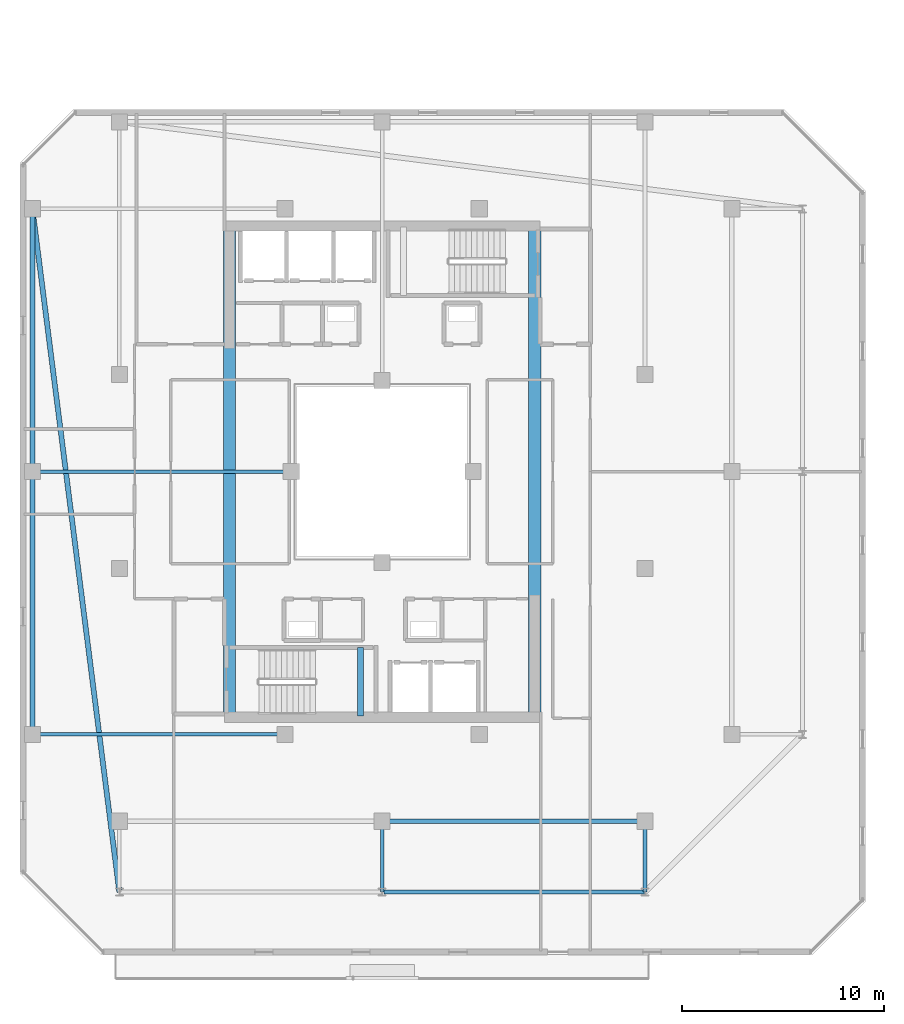
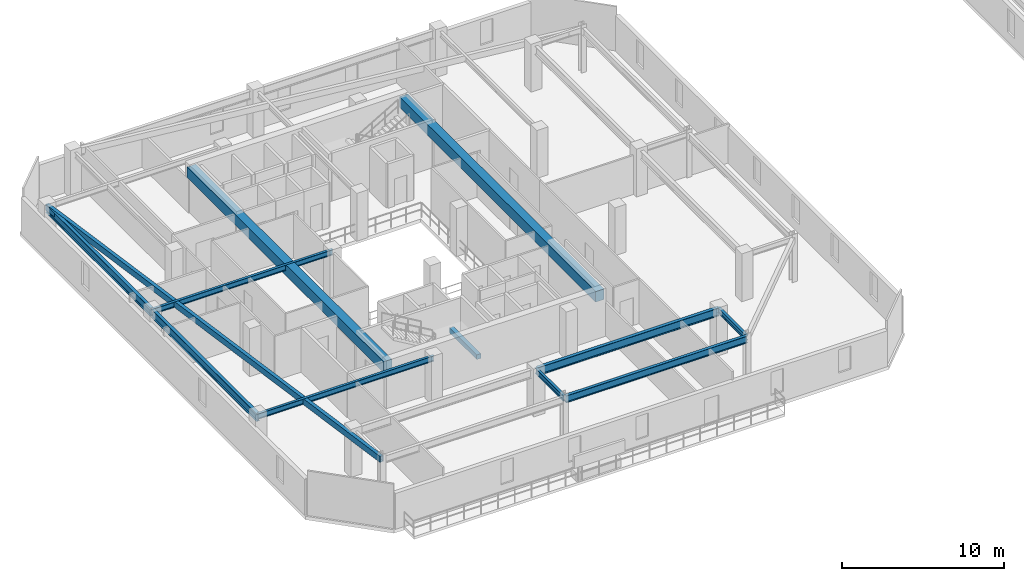
# One storey, part 6 of 34: 12 beams.
"""IFC4 building model written with IfcOpenShell, lengths in metres."""

from ifc_helpers import new_model, si_unit, direction, frame, origin, origin_2d, place, context, subcontext, project, spatial, rectangle, hollow_rectangle, i_section, extrude, material, material_profile, profile_set, type_object, element, save


model = new_model("IFC4")

# Units and contexts
model_context = context("Model", 3, precision=1e-05, world=origin(), true_north=direction((0.0, 1.0)))
body_context = subcontext(model_context, "Body", "Model", "MODEL_VIEW")
ifc_project = project(units=[si_unit("LENGTHUNIT", "METRE"), si_unit("AREAUNIT", "SQUARE_METRE"), si_unit("VOLUMEUNIT", "CUBIC_METRE"), si_unit("PLANEANGLEUNIT", "RADIAN"), si_unit("MASSUNIT", "GRAM", prefix="KILO")], contexts=[model_context])

# Site, building, storey
site_placement = place(None, origin())
site = spatial("IfcSite", under=ifc_project, at=site_placement, CompositionType="ELEMENT")
building_placement = place(site_placement, origin())
building = spatial("IfcBuilding", under=site, at=building_placement, Name="Thornwick Lancets Civic Towers", CompositionType="ELEMENT")
storey_placement = place(building_placement, frame((0.0, 0.0, 258.300048828125)))
storey = spatial("IfcBuildingStorey", under=building, at=storey_placement, Name="L69", CompositionType="ELEMENT", Elevation=258.300048828125)

# Beams
ifc_material_1 = material(Name="Concrete C60/75", Category="concrete")
ifc_material_profile_1 = material_profile(ifc_material_1, rectangle(XDim=0.60009765625, YDim=0.800048828125, at=origin_2d()), Name="RC 600x800")
ifc_profile_set_1 = profile_set([ifc_material_profile_1], Name="Concrete C60/75")
beam_type_1 = type_object("IfcBeamType", Name="BM_COUP_RC800", PredefinedType="BEAM", material=ifc_profile_set_1)
for number, where, z_axis, x_axis, name in (
    (1, (33.050048828125, 14.89990234375, 2.9599609375), (0.0, 1.0, 0.0), (-1.0, 0.0, 0.0), "CB-L69-A1"),
    (2, (17.949951171875, 14.89990234375, 2.9599609375), (0.0, 1.0, 0.0), (-1.0, 0.0, 0.0), "CB-L69-A2"),
):
    element("IfcBeam", number, at=place(storey_placement, frame(where, z_axis=z_axis, x_axis=x_axis)), inside=storey, type_object=beam_type_1, Name=name, PredefinedType="BEAM", context=body_context, shape_type="SweptSolid", body=[
        extrude(rectangle(XDim=0.60009765625, YDim=0.800048828125, at=origin_2d()), origin(), (0.0, 0.0, 1.0), 24.2001953125),
    ])
ifc_material_2 = material(Name="Steel S355JR", Category="steel")
ifc_material_profile_2 = material_profile(ifc_material_2, i_section(OverallWidth=0.210693359375, OverallDepth=0.53955078125, WebThickness=0.01171875, FlangeThickness=0.018798828125, FilletRadius=0.0126953125, at=origin_2d()), Name="UKB 533x210x109")
ifc_profile_set_2 = profile_set([ifc_material_profile_2], Name="Steel S355JR")
beam_type_2 = type_object("IfcBeamType", Name="BM_EDGE_533_109", PredefinedType="SPANDREL", material=ifc_profile_set_2)
beam_1_placement = place(storey_placement, frame((25.580078125, 6.199951171875, 3.09033203125), z_axis=(1.0, 0.0, 0.0), x_axis=(0.0, 1.0, 0.0)))
element("IfcBeam", 3, at=beam_1_placement, inside=storey, type_object=beam_type_2, Name="BM-EDGE-L69-A-S0-2", PredefinedType="SPANDREL", context=body_context, shape_type="SweptSolid", body=[
    extrude(i_section(OverallWidth=0.210693359375, OverallDepth=0.53955078125, WebThickness=0.01171875, FlangeThickness=0.018798828125, FilletRadius=0.0126953125, at=origin_2d()), origin(), (0.0, 0.0, 1.0), 12.919921875),
])
ifc_material_profile_3 = material_profile(ifc_material_2, i_section(OverallWidth=0.230224609375, OverallDepth=0.6171875, WebThickness=0.01318359375, FlangeThickness=0.022216796875, FilletRadius=0.0126953125, at=origin_2d()), Name="UKB 610x229x140")
ifc_profile_set_3 = profile_set([ifc_material_profile_3], Name="Steel S355JR")
beam_type_3 = type_object("IfcBeamType", Name="BM_GIRD_610_140", PredefinedType="BEAM", material=ifc_profile_set_3)
beam_2_placement = place(storey_placement, frame((25.580078125, 9.699951171875, 3.05126953125), z_axis=(1.0, 0.0, 0.0), x_axis=(0.0, 1.0, 0.0)))
element("IfcBeam", 4, at=beam_2_placement, inside=storey, type_object=beam_type_3, Name="BM-SPINE-L69-A-1-2", PredefinedType="BEAM", context=body_context, shape_type="SweptSolid", body=[
    extrude(i_section(OverallWidth=0.230224609375, OverallDepth=0.6171875, WebThickness=0.01318359375, FlangeThickness=0.022216796875, FilletRadius=0.0126953125, at=origin_2d()), origin(), (0.0, 0.0, 1.0), 12.919921875),
])
beam_3_placement = place(storey_placement, frame((8.199951171875, 14.0, 3.05126953125), z_axis=(0.0, 1.0, 0.0), x_axis=(-1.0, 0.0, 0.0)))
element("IfcBeam", 5, at=beam_3_placement, inside=storey, type_object=beam_type_3, Name="BM-SPINE-L69-A-9-10", PredefinedType="BEAM", context=body_context, shape_type="SweptSolid", body=[
    extrude(i_section(OverallWidth=0.230224609375, OverallDepth=0.6171875, WebThickness=0.01318359375, FlangeThickness=0.022216796875, FilletRadius=0.0126953125, at=origin_2d()), origin(), (0.0, 0.0, 1.0), 13.0),
])
beam_4_placement = place(storey_placement, frame((8.199951171875, 27.080078125, 3.05126953125), z_axis=(0.0, 1.0, 0.0), x_axis=(-1.0, 0.0, 0.0)))
element("IfcBeam", 6, at=beam_4_placement, inside=storey, type_object=beam_type_3, Name="BM-SPINE-L69-A-10-11", PredefinedType="BEAM", context=body_context, shape_type="SweptSolid", body=[
    extrude(i_section(OverallWidth=0.230224609375, OverallDepth=0.6171875, WebThickness=0.01318359375, FlangeThickness=0.022216796875, FilletRadius=0.0126953125, at=origin_2d()), origin(), (0.0, 0.0, 1.0), 12.919921875),
])
ifc_material_profile_4 = material_profile(ifc_material_2, i_section(OverallWidth=0.179443359375, OverallDepth=0.412841796875, WebThickness=0.009521484375, FlangeThickness=0.01611328125, FilletRadius=0.01025390625, at=origin_2d()), Name="UKB 406x178x74")
ifc_profile_set_4 = profile_set([ifc_material_profile_4], Name="Steel S355JR")
beam_type_4 = type_object("IfcBeamType", Name="BM_JOIST_406_74", PredefinedType="JOIST", material=ifc_profile_set_4)
for number, where, z_axis, x_axis, name in (
    (7, (25.5, 9.699951171875, 3.153564453125), (0.0, -1.0, 0.0), (1.0, 0.0, 0.0), "BM-RAD-L69-A02"),
    (8, (38.5, 9.699951171875, 3.153564453125), (0.0, -1.0, 0.0), (1.0, 0.0, 0.0), "BM-RAD-L69-A03"),
):
    element("IfcBeam", number, at=place(storey_placement, frame(where, z_axis=z_axis, x_axis=x_axis)), inside=storey, type_object=beam_type_4, Name=name, PredefinedType="JOIST", context=body_context, shape_type="SweptSolid", body=[
        extrude(i_section(OverallWidth=0.179443359375, OverallDepth=0.412841796875, WebThickness=0.009521484375, FlangeThickness=0.01611328125, FilletRadius=0.01025390625, at=origin_2d()), origin(), (0.0, 0.0, 1.0), 3.5),
    ])
beam_5_placement = place(storey_placement, frame((20.699951171875, 14.0, 3.153564453125), z_axis=(-1.0, 0.0, 0.0), x_axis=(0.0, -1.0, 0.0)))
element("IfcBeam", 9, at=beam_5_placement, inside=storey, type_object=beam_type_4, Name="BM-RADIN-L69-A10", PredefinedType="JOIST", context=body_context, shape_type="SweptSolid", body=[
    extrude(i_section(OverallWidth=0.179443359375, OverallDepth=0.412841796875, WebThickness=0.009521484375, FlangeThickness=0.01611328125, FilletRadius=0.01025390625, at=origin_2d()), origin(), (0.0, 0.0, 1.0), 12.5),
])
beam_6_placement = place(storey_placement, frame((21.0, 27.0, 3.153564453125), z_axis=(-1.0, 0.0, 0.0), x_axis=(0.0, -1.0, 0.0)))
element("IfcBeam", 10, at=beam_6_placement, inside=storey, type_object=beam_type_4, Name="BM-RADIN-L69-A11", PredefinedType="JOIST", context=body_context, shape_type="SweptSolid", body=[
    extrude(i_section(OverallWidth=0.179443359375, OverallDepth=0.412841796875, WebThickness=0.009521484375, FlangeThickness=0.01611328125, FilletRadius=0.01025390625, at=origin_2d()), origin(), (0.0, 0.0, 1.0), 12.800048828125),
])
ifc_material_profile_5 = material_profile(ifc_material_2, hollow_rectangle(XDim=0.25, YDim=0.449951171875, WallThickness=0.01611328125, at=origin_2d()), Name="RHS 450x250x16")
ifc_profile_set_5 = profile_set([ifc_material_profile_5], Name="Steel S355JR")
beam_type_5 = type_object("IfcBeamType", Name="BM_RING_RHS450", PredefinedType="BEAM", material=ifc_profile_set_5)
beam_7_placement = place(storey_placement, frame((8.199951171875, 40.0, 3.135009765625), z_axis=(0.126202998662, -0.992004437051, 0.0), x_axis=(0.992004437051, 0.126202998662, 0.0)))
element("IfcBeam", 11, at=beam_7_placement, inside=storey, type_object=beam_type_5, Name="BM-CHAMF-L69-A-C3", PredefinedType="BEAM", context=body_context, shape_type="SweptSolid", body=[
    extrude(hollow_rectangle(XDim=0.25, YDim=0.449951171875, WallThickness=0.01611328125, at=origin_2d()), origin(), (0.0, 0.0, 1.0), 34.072509765625),
])
ifc_material_3 = material(Name="Concrete C40/50", Category="concrete")
ifc_material_profile_6 = material_profile(ifc_material_3, rectangle(XDim=0.300048828125, YDim=0.35009765625, at=origin_2d()), Name="RC 300x350")
ifc_profile_set_6 = profile_set([ifc_material_profile_6], Name="Concrete C40/50")
beam_type_6 = type_object("IfcBeamType", Name="BM_STAIR_LDG", PredefinedType="BEAM", material=ifc_profile_set_6)
beam_8_placement = place(storey_placement, frame((24.43505859375, 14.89990234375, 1.3779296875), z_axis=(0.0, 1.0, 0.0), x_axis=(-1.0, 0.0, 0.0)))
element("IfcBeam", 12, at=beam_8_placement, inside=storey, type_object=beam_type_6, Name="L69 ST-A1 Landing Support Beam 1", PredefinedType="BEAM", context=body_context, shape_type="SweptSolid", body=[
    extrude(rectangle(XDim=0.300048828125, YDim=0.35009765625, at=origin_2d()), origin(), (0.0, 0.0, 1.0), 3.400146484375),
])

save(model, "model.ifc")
